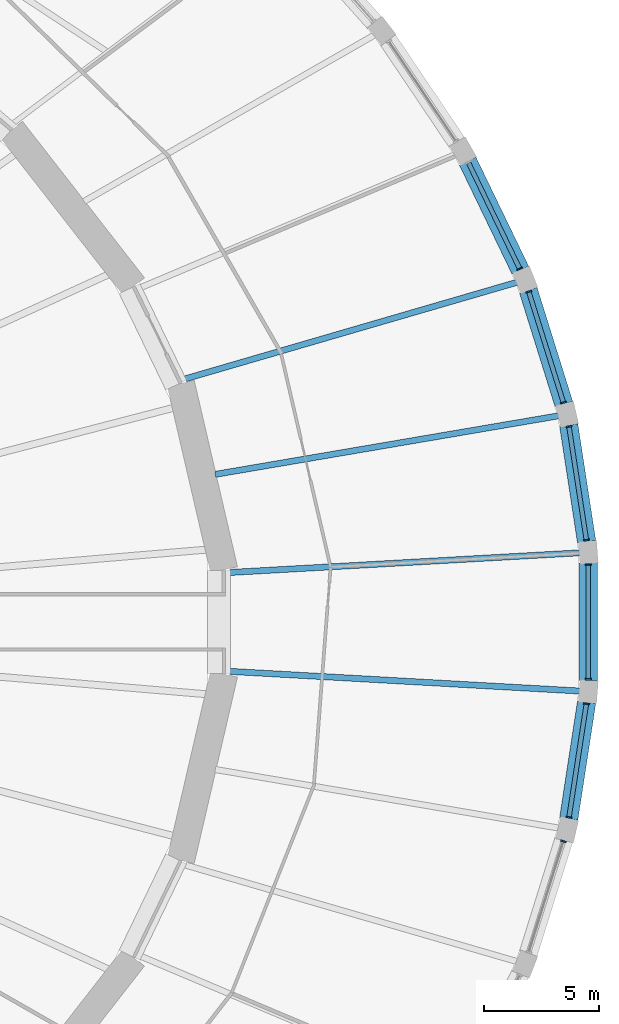
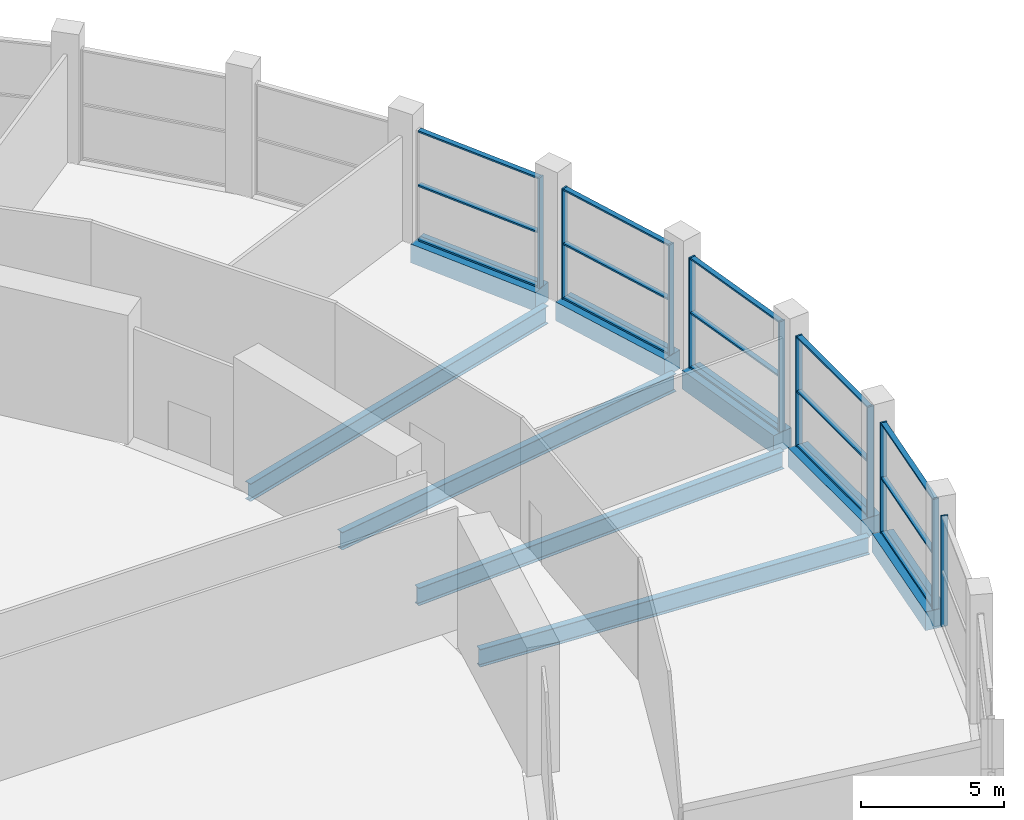
# One storey, part 11 of 26: 25 members, 9 beams, 6 elements without a shape of their own.
"""IFC4 building model written with IfcOpenShell, lengths in metres."""

from ifc_helpers import new_model, si_unit, direction, frame, origin, origin_2d, place, context, subcontext, project, spatial, rectangle, i_section, extrude, material, material_profile, profile_set, type_object, element, aggregate, save


model = new_model("IFC4")

# Units and contexts
model_context = context("Model", 3, precision=1e-05, world=origin(), true_north=direction((0.0, 1.0)))
body_context = subcontext(model_context, "Body", "Model", "MODEL_VIEW")
ifc_project = project(units=[si_unit("LENGTHUNIT", "METRE"), si_unit("AREAUNIT", "SQUARE_METRE"), si_unit("VOLUMEUNIT", "CUBIC_METRE"), si_unit("PLANEANGLEUNIT", "RADIAN"), si_unit("MASSUNIT", "GRAM", prefix="KILO")], contexts=[model_context])

# Site, building, storey
site_placement = place(None, origin())
site = spatial("IfcSite", under=ifc_project, at=site_placement, CompositionType="ELEMENT")
building_placement = place(site_placement, origin())
building = spatial("IfcBuilding", under=site, at=building_placement, Name="Halqa Exchange Tower", CompositionType="ELEMENT")
storey_placement = place(building_placement, frame((0.0, 0.0, 18.0)))
storey = spatial("IfcBuildingStorey", under=building, at=storey_placement, Name="L03", CompositionType="ELEMENT", Elevation=18.0)

# Curtain wall, members
ifc_material_1 = material(Name="Anodised aluminium and clear glass", Category="aluminium")
curtain_wall_type = type_object("IfcCurtainWallType", Name="Exchange hall glazing", PredefinedType="NOTDEFINED", material=ifc_material_1)
curtain_wall_1_placement = place(storey_placement, origin())
curtain_wall_1 = element("IfcCurtainWall", 1, at=curtain_wall_1_placement, inside=storey, type_object=curtain_wall_type, Name="Exchange hall glazing run P1", PredefinedType="NOTDEFINED")
ifc_material_2 = material(Name="Anodised aluminium", Category="aluminium")
ifc_material_profile_1 = material_profile(ifc_material_2, rectangle(XDim=0.25, YDim=0.070068359375, at=origin_2d()), Name="AL 70x250")
ifc_profile_set_1 = profile_set([ifc_material_profile_1], Name="Anodised aluminium")
member_type_1 = type_object("IfcMemberType", Name="Exchange hall glazing mullion 70 x 250", PredefinedType="MULLION", material=ifc_profile_set_1)
member_1_placement = place(storey_placement, frame((53.80322265625, 3.556884765625, 0.0), z_axis=(0.0, 0.0, 1.0), x_axis=(-0.988416304241, -0.151766957898, 0.0)))
member_1 = element("IfcMember", 2, at=member_1_placement, type_object=member_type_1, Name="P1 mullion 1", PredefinedType="MULLION", context=body_context, shape_type="SweptSolid", body=[
    extrude(rectangle(XDim=0.25, YDim=0.070068359375, at=origin_2d()), origin(), (0.0, 0.0, 1.0), 4.699951171875),
])
member_2_placement = place(storey_placement, frame((53.043701171875, 8.50390625, 0.0), z_axis=(0.0, 0.0, 1.0), x_axis=(-0.988416304241, -0.151766957898, 0.0)))
member_2 = element("IfcMember", 3, at=member_2_placement, type_object=member_type_1, Name="P1 mullion 2", PredefinedType="MULLION", context=body_context, shape_type="SweptSolid", body=[
    extrude(rectangle(XDim=0.25, YDim=0.070068359375, at=origin_2d()), origin(), (0.0, 0.0, 1.0), 4.699951171875),
])

curtain_wall_2_placement = place(storey_placement, origin())
curtain_wall_2 = element("IfcCurtainWall", 4, at=curtain_wall_2_placement, inside=storey, type_object=curtain_wall_type, Name="Exchange hall glazing run P2", PredefinedType="NOTDEFINED")
member_3_placement = place(storey_placement, frame((52.802978515625, 9.543212890625, 0.0), z_axis=(0.0, 0.0, 1.0), x_axis=(-0.95447130463, -0.298302746613, 0.0)))
member_3 = element("IfcMember", 5, at=member_3_placement, type_object=member_type_1, Name="P2 mullion 1", PredefinedType="MULLION", context=body_context, shape_type="SweptSolid", body=[
    extrude(rectangle(XDim=0.25, YDim=0.070068359375, at=origin_2d()), origin(), (0.0, 0.0, 1.0), 4.699951171875),
])
member_4_placement = place(storey_placement, frame((51.293701171875, 14.3720703125, 0.0), z_axis=(0.0, 0.0, 1.0), x_axis=(-0.95447130463, -0.298302746613, 0.0)))
member_4 = element("IfcMember", 6, at=member_4_placement, type_object=member_type_1, Name="P2 mullion 2", PredefinedType="MULLION", context=body_context, shape_type="SweptSolid", body=[
    extrude(rectangle(XDim=0.25, YDim=0.070068359375, at=origin_2d()), origin(), (0.0, 0.0, 1.0), 4.699951171875),
])

# Curtain wall, member
curtain_wall_3_placement = place(storey_placement, origin())
curtain_wall_3 = element("IfcCurtainWall", 7, at=curtain_wall_3_placement, inside=storey, type_object=curtain_wall_type, Name="Exchange hall glazing run P3", PredefinedType="NOTDEFINED")
member_5_placement = place(storey_placement, frame((50.9013671875, 15.3642578125, 0.0), z_axis=(0.0, 0.0, 1.0), x_axis=(-0.90043534892, -0.434989864727, 0.0)))
member_5 = element("IfcMember", 8, at=member_5_placement, type_object=member_type_1, Name="P3 mullion 1", PredefinedType="MULLION", context=body_context, shape_type="SweptSolid", body=[
    extrude(rectangle(XDim=0.25, YDim=0.070068359375, at=origin_2d()), origin(), (0.0, 0.0, 1.0), 4.699951171875),
])

curtain_wall_4_placement = place(storey_placement, origin())
curtain_wall_4 = element("IfcCurtainWall", 9, at=curtain_wall_4_placement, inside=storey, type_object=curtain_wall_type, Name="Exchange hall glazing run P46", PredefinedType="NOTDEFINED")
member_6_placement = place(storey_placement, frame((52.802978515625, -9.543212890625, 0.0), z_axis=(0.0, 0.0, 1.0), x_axis=(-0.95447130463, 0.298302746613, 0.0)))
member_6 = element("IfcMember", 10, at=member_6_placement, type_object=member_type_1, Name="P46 mullion 2", PredefinedType="MULLION", context=body_context, shape_type="SweptSolid", body=[
    extrude(rectangle(XDim=0.25, YDim=0.070068359375, at=origin_2d()), origin(), (0.0, 0.0, 1.0), 4.699951171875),
])
aggregate(curtain_wall_4, [member_6])

# Curtain wall, members
curtain_wall_5_placement = place(storey_placement, origin())
curtain_wall_5 = element("IfcCurtainWall", 11, at=curtain_wall_5_placement, inside=storey, type_object=curtain_wall_type, Name="Exchange hall glazing run P47", PredefinedType="NOTDEFINED")
member_7_placement = place(storey_placement, frame((53.043701171875, -8.50390625, 0.0), z_axis=(0.0, 0.0, 1.0), x_axis=(-0.988416304241, 0.151766957898, 0.0)))
member_7 = element("IfcMember", 12, at=member_7_placement, type_object=member_type_1, Name="P47 mullion 1", PredefinedType="MULLION", context=body_context, shape_type="SweptSolid", body=[
    extrude(rectangle(XDim=0.25, YDim=0.070068359375, at=origin_2d()), origin(), (0.0, 0.0, 1.0), 4.699951171875),
])
member_8_placement = place(storey_placement, frame((53.80322265625, -3.556884765625, 0.0), z_axis=(0.0, 0.0, 1.0), x_axis=(-0.988416304241, 0.151766957898, 0.0)))
member_8 = element("IfcMember", 13, at=member_8_placement, type_object=member_type_1, Name="P47 mullion 2", PredefinedType="MULLION", context=body_context, shape_type="SweptSolid", body=[
    extrude(rectangle(XDim=0.25, YDim=0.070068359375, at=origin_2d()), origin(), (0.0, 0.0, 1.0), 4.699951171875),
])

curtain_wall_6_placement = place(storey_placement, origin())
curtain_wall_6 = element("IfcCurtainWall", 14, at=curtain_wall_6_placement, inside=storey, type_object=curtain_wall_type, Name="Exchange hall glazing run P48", PredefinedType="NOTDEFINED")
member_9_placement = place(storey_placement, frame((53.884521484375, -2.4931640625, 0.0), z_axis=(0.0, 0.0, 1.0), x_axis=(-1.0, 0.0, 0.0)))
member_9 = element("IfcMember", 15, at=member_9_placement, type_object=member_type_1, Name="P48 mullion 1", PredefinedType="MULLION", context=body_context, shape_type="SweptSolid", body=[
    extrude(rectangle(XDim=0.25, YDim=0.070068359375, at=origin_2d()), origin(), (0.0, 0.0, 1.0), 4.699951171875),
])
member_10_placement = place(storey_placement, frame((53.884521484375, 2.4931640625, 0.0), z_axis=(0.0, 0.0, 1.0), x_axis=(-1.0, 0.0, 0.0)))
member_10 = element("IfcMember", 16, at=member_10_placement, type_object=member_type_1, Name="P48 mullion 2", PredefinedType="MULLION", context=body_context, shape_type="SweptSolid", body=[
    extrude(rectangle(XDim=0.25, YDim=0.070068359375, at=origin_2d()), origin(), (0.0, 0.0, 1.0), 4.699951171875),
])

# Member
ifc_material_profile_2 = material_profile(ifc_material_2, rectangle(XDim=0.199951171875, YDim=0.070068359375, at=origin_2d()), Name="AL 70x200")
ifc_profile_set_2 = profile_set([ifc_material_profile_2], Name="Anodised aluminium")
member_type_2 = type_object("IfcMemberType", Name="Exchange hall glazing transom 70 x 200", PredefinedType="USERDEFINED", material=ifc_profile_set_2)
member_11_placement = place(storey_placement, frame((53.7978515625, 3.591552734375, 0.034912109375), z_axis=(-0.151782076139, 0.988413982784, 0.0), x_axis=(-0.988413982784, -0.151782076139, 0.0)))
member_11 = element("IfcMember", 17, at=member_11_placement, type_object=member_type_2, Name="P1 transom 1.1", ObjectType="TRANSOM", PredefinedType="USERDEFINED", context=body_context, shape_type="SweptSolid", body=[
    extrude(rectangle(XDim=0.199951171875, YDim=0.070068359375, at=origin_2d()), origin(), (0.0, 0.0, 1.0), 4.934814453125),
])

member_12_placement = place(storey_placement, frame((53.7978515625, 3.591552734375, 2.35009765625), z_axis=(-0.151782076139, 0.988413982784, 0.0), x_axis=(-0.988413982784, -0.151782076139, 0.0)))
member_12 = element("IfcMember", 18, at=member_12_placement, type_object=member_type_2, Name="P1 transom 1.2", ObjectType="TRANSOM", PredefinedType="USERDEFINED", context=body_context, shape_type="SweptSolid", body=[
    extrude(rectangle(XDim=0.199951171875, YDim=0.070068359375, at=origin_2d()), origin(), (0.0, 0.0, 1.0), 4.934814453125),
])

member_13_placement = place(storey_placement, frame((53.7978515625, 3.591552734375, 4.6650390625), z_axis=(-0.151782076139, 0.988413982784, 0.0), x_axis=(-0.988413982784, -0.151782076139, 0.0)))
member_13 = element("IfcMember", 19, at=member_13_placement, type_object=member_type_2, Name="P1 transom 1.3", ObjectType="TRANSOM", PredefinedType="USERDEFINED", context=body_context, shape_type="SweptSolid", body=[
    extrude(rectangle(XDim=0.199951171875, YDim=0.070068359375, at=origin_2d()), origin(), (0.0, 0.0, 1.0), 4.934814453125),
])

aggregate(curtain_wall_1, [member_1, member_2, member_11, member_12, member_13])

member_14_placement = place(storey_placement, frame((52.79248046875, 9.57666015625, 0.034912109375), z_axis=(-0.298305642444, 0.954470399586, 0.0), x_axis=(-0.954470399586, -0.298305642444, 0.0)))
member_14 = element("IfcMember", 20, at=member_14_placement, type_object=member_type_2, Name="P2 transom 1.1", ObjectType="TRANSOM", PredefinedType="USERDEFINED", context=body_context, shape_type="SweptSolid", body=[
    extrude(rectangle(XDim=0.199951171875, YDim=0.070068359375, at=origin_2d()), origin(), (0.0, 0.0, 1.0), 4.989013671875),
])

member_15_placement = place(storey_placement, frame((52.79248046875, 9.57666015625, 2.35009765625), z_axis=(-0.298305642444, 0.954470399586, 0.0), x_axis=(-0.954470399586, -0.298305642444, 0.0)))
member_15 = element("IfcMember", 21, at=member_15_placement, type_object=member_type_2, Name="P2 transom 1.2", ObjectType="TRANSOM", PredefinedType="USERDEFINED", context=body_context, shape_type="SweptSolid", body=[
    extrude(rectangle(XDim=0.199951171875, YDim=0.070068359375, at=origin_2d()), origin(), (0.0, 0.0, 1.0), 4.989013671875),
])

member_16_placement = place(storey_placement, frame((52.79248046875, 9.57666015625, 4.6650390625), z_axis=(-0.298305642444, 0.954470399586, 0.0), x_axis=(-0.954470399586, -0.298305642444, 0.0)))
member_16 = element("IfcMember", 22, at=member_16_placement, type_object=member_type_2, Name="P2 transom 1.3", ObjectType="TRANSOM", PredefinedType="USERDEFINED", context=body_context, shape_type="SweptSolid", body=[
    extrude(rectangle(XDim=0.199951171875, YDim=0.070068359375, at=origin_2d()), origin(), (0.0, 0.0, 1.0), 4.989013671875),
])

aggregate(curtain_wall_2, [member_3, member_4, member_14, member_15, member_16])

member_17_placement = place(storey_placement, frame((50.88623046875, 15.395751953125, 0.034912109375), z_axis=(-0.434989893806, 0.900435334872, 0.0), x_axis=(-0.900435334872, -0.434989893806, 0.0)))
member_17 = element("IfcMember", 23, at=member_17_placement, type_object=member_type_2, Name="P3 transom 1.1", ObjectType="TRANSOM", PredefinedType="USERDEFINED", context=body_context, shape_type="SweptSolid", body=[
    extrude(rectangle(XDim=0.199951171875, YDim=0.070068359375, at=origin_2d()), origin(), (0.0, 0.0, 1.0), 5.07421875),
])

member_18_placement = place(storey_placement, frame((50.88623046875, 15.395751953125, 2.35009765625), z_axis=(-0.434989893806, 0.900435334872, 0.0), x_axis=(-0.900435334872, -0.434989893806, 0.0)))
member_18 = element("IfcMember", 24, at=member_18_placement, type_object=member_type_2, Name="P3 transom 1.2", ObjectType="TRANSOM", PredefinedType="USERDEFINED", context=body_context, shape_type="SweptSolid", body=[
    extrude(rectangle(XDim=0.199951171875, YDim=0.070068359375, at=origin_2d()), origin(), (0.0, 0.0, 1.0), 5.07421875),
])

member_19_placement = place(storey_placement, frame((50.88623046875, 15.395751953125, 4.6650390625), z_axis=(-0.434989893806, 0.900435334872, 0.0), x_axis=(-0.900435334872, -0.434989893806, 0.0)))
member_19 = element("IfcMember", 25, at=member_19_placement, type_object=member_type_2, Name="P3 transom 1.3", ObjectType="TRANSOM", PredefinedType="USERDEFINED", context=body_context, shape_type="SweptSolid", body=[
    extrude(rectangle(XDim=0.199951171875, YDim=0.070068359375, at=origin_2d()), origin(), (0.0, 0.0, 1.0), 5.07421875),
])

aggregate(curtain_wall_3, [member_5, member_17, member_18, member_19])

member_20_placement = place(storey_placement, frame((53.048828125, -8.46923828125, 0.034912109375), z_axis=(0.151782076139, 0.988413982784, 0.0), x_axis=(-0.988413982784, 0.151782076139, 0.0)))
member_20 = element("IfcMember", 26, at=member_20_placement, type_object=member_type_2, Name="P47 transom 1.1", ObjectType="TRANSOM", PredefinedType="USERDEFINED", context=body_context, shape_type="SweptSolid", body=[
    extrude(rectangle(XDim=0.199951171875, YDim=0.070068359375, at=origin_2d()), origin(), (0.0, 0.0, 1.0), 4.934814453125),
])

member_21_placement = place(storey_placement, frame((53.048828125, -8.46923828125, 2.35009765625), z_axis=(0.151782076139, 0.988413982784, 0.0), x_axis=(-0.988413982784, 0.151782076139, 0.0)))
member_21 = element("IfcMember", 27, at=member_21_placement, type_object=member_type_2, Name="P47 transom 1.2", ObjectType="TRANSOM", PredefinedType="USERDEFINED", context=body_context, shape_type="SweptSolid", body=[
    extrude(rectangle(XDim=0.199951171875, YDim=0.070068359375, at=origin_2d()), origin(), (0.0, 0.0, 1.0), 4.934814453125),
])

member_22_placement = place(storey_placement, frame((53.048828125, -8.46923828125, 4.6650390625), z_axis=(0.151782076139, 0.988413982784, 0.0), x_axis=(-0.988413982784, 0.151782076139, 0.0)))
member_22 = element("IfcMember", 28, at=member_22_placement, type_object=member_type_2, Name="P47 transom 1.3", ObjectType="TRANSOM", PredefinedType="USERDEFINED", context=body_context, shape_type="SweptSolid", body=[
    extrude(rectangle(XDim=0.199951171875, YDim=0.070068359375, at=origin_2d()), origin(), (0.0, 0.0, 1.0), 4.934814453125),
])

aggregate(curtain_wall_5, [member_7, member_8, member_20, member_21, member_22])

member_23_placement = place(storey_placement, frame((53.884521484375, -2.458251953125, 0.034912109375), z_axis=(0.0, 1.0, 0.0), x_axis=(-1.0, 0.0, 0.0)))
member_23 = element("IfcMember", 29, at=member_23_placement, type_object=member_type_2, Name="P48 transom 1.1", ObjectType="TRANSOM", PredefinedType="USERDEFINED", context=body_context, shape_type="SweptSolid", body=[
    extrude(rectangle(XDim=0.199951171875, YDim=0.070068359375, at=origin_2d()), origin(), (0.0, 0.0, 1.0), 4.91650390625),
])

member_24_placement = place(storey_placement, frame((53.884521484375, -2.458251953125, 2.35009765625), z_axis=(0.0, 1.0, 0.0), x_axis=(-1.0, 0.0, 0.0)))
member_24 = element("IfcMember", 30, at=member_24_placement, type_object=member_type_2, Name="P48 transom 1.2", ObjectType="TRANSOM", PredefinedType="USERDEFINED", context=body_context, shape_type="SweptSolid", body=[
    extrude(rectangle(XDim=0.199951171875, YDim=0.070068359375, at=origin_2d()), origin(), (0.0, 0.0, 1.0), 4.91650390625),
])

member_25_placement = place(storey_placement, frame((53.884521484375, -2.458251953125, 4.6650390625), z_axis=(0.0, 1.0, 0.0), x_axis=(-1.0, 0.0, 0.0)))
member_25 = element("IfcMember", 31, at=member_25_placement, type_object=member_type_2, Name="P48 transom 1.3", ObjectType="TRANSOM", PredefinedType="USERDEFINED", context=body_context, shape_type="SweptSolid", body=[
    extrude(rectangle(XDim=0.199951171875, YDim=0.070068359375, at=origin_2d()), origin(), (0.0, 0.0, 1.0), 4.91650390625),
])

aggregate(curtain_wall_6, [member_9, member_10, member_23, member_24, member_25])

# Beams
ifc_material_3 = material(Name="Steel S355", Category="steel")
ifc_material_profile_3 = material_profile(ifc_material_3, i_section(OverallWidth=0.264892578125, OverallDepth=0.7529296875, WebThickness=0.01318359375, FlangeThickness=0.01708984375, FilletRadius=0.01708984375, at=origin_2d()), Name="IPE 750x147")
ifc_profile_set_3 = profile_set([ifc_material_profile_3], Name="Steel S355")
beam_type_1 = type_object("IfcBeamType", Name="Floor beam IPE 750x147", PredefinedType="BEAM", material=ifc_profile_set_3)
beam_1_placement = place(storey_placement, frame((38.2880859375, 2.151611328125, -0.7265625), z_axis=(0.998424130563, 0.056118227964, 0.0), x_axis=(-0.056118227964, 0.998424130563, 0.0)))
element("IfcBeam", 32, at=beam_1_placement, inside=storey, type_object=beam_type_1, Name="Radial beam 1", PredefinedType="BEAM", context=body_context, shape_type="SweptSolid", body=[
    extrude(i_section(OverallWidth=0.264892578125, OverallDepth=0.7529296875, WebThickness=0.01318359375, FlangeThickness=0.01708984375, FilletRadius=0.01708984375, at=origin_2d()), origin(), (0.0, 0.0, 1.0), 15.248291015625),
])
beam_2_placement = place(storey_placement, frame((37.654296875, 6.421875, -0.7265625), z_axis=(0.985764762639, 0.168130403968, 0.0), x_axis=(-0.168130403968, 0.985764762639, 0.0)))
element("IfcBeam", 33, at=beam_2_placement, inside=storey, type_object=beam_type_1, Name="Radial beam 2", PredefinedType="BEAM", context=body_context, shape_type="SweptSolid", body=[
    extrude(i_section(OverallWidth=0.264892578125, OverallDepth=0.7529296875, WebThickness=0.01318359375, FlangeThickness=0.01708984375, FilletRadius=0.01708984375, at=origin_2d()), origin(), (0.0, 0.0, 1.0), 15.156982421875),
])
beam_3_placement = place(storey_placement, frame((36.34521484375, 10.578369140625, -0.7265625), z_axis=(0.960162493503, 0.279442276812, 0.0), x_axis=(-0.279442276812, 0.960162493503, 0.0)))
element("IfcBeam", 34, at=beam_3_placement, inside=storey, type_object=beam_type_1, Name="Radial beam 3", PredefinedType="BEAM", context=body_context, shape_type="SweptSolid", body=[
    extrude(i_section(OverallWidth=0.264892578125, OverallDepth=0.7529296875, WebThickness=0.01318359375, FlangeThickness=0.01708984375, FilletRadius=0.01708984375, at=origin_2d()), origin(), (0.0, 0.0, 1.0), 15.02880859375),
])
beam_4_placement = place(storey_placement, frame((38.2880859375, -2.151611328125, -0.7265625), z_axis=(0.998424130563, -0.056118227964, 0.0), x_axis=(0.056118227964, 0.998424130563, 0.0)))
element("IfcBeam", 35, at=beam_4_placement, inside=storey, type_object=beam_type_1, Name="Radial beam 48", PredefinedType="BEAM", context=body_context, shape_type="SweptSolid", body=[
    extrude(i_section(OverallWidth=0.264892578125, OverallDepth=0.7529296875, WebThickness=0.01318359375, FlangeThickness=0.01708984375, FilletRadius=0.01708984375, at=origin_2d()), origin(), (0.0, 0.0, 1.0), 15.248291015625),
])
ifc_material_4 = material(Name="Concrete C60/75", Category="concrete")
ifc_material_profile_4 = material_profile(ifc_material_4, rectangle(XDim=0.800048828125, YDim=0.800048828125, at=origin_2d()), Name="800 x 800")
ifc_profile_set_4 = profile_set([ifc_material_profile_4], Name="Concrete C60/75")
beam_type_2 = type_object("IfcBeamType", Name="RC podium edge beam 800 x 800 C60/75", PredefinedType="SPANDREL", material=ifc_profile_set_4)
beam_5_placement = place(storey_placement, frame((53.812744140625, 3.495361328125, -0.39990234375), z_axis=(-0.151767505705, 0.988416220128, 0.0), x_axis=(-0.988416220128, -0.151767505705, 0.0)))
element("IfcBeam", 36, at=beam_5_placement, inside=storey, type_object=beam_type_2, Name="Podium edge beam 1", PredefinedType="SPANDREL", context=body_context, shape_type="SweptSolid", body=[
    extrude(rectangle(XDim=0.800048828125, YDim=0.800048828125, at=origin_2d()), origin(), (0.0, 0.0, 1.0), 5.1298828125),
])
beam_6_placement = place(storey_placement, frame((52.821044921875, 9.4853515625, -0.39990234375), z_axis=(-0.298331338153, 0.954462368392, 0.0), x_axis=(-0.954462368392, -0.298331338153, 0.0)))
element("IfcBeam", 37, at=beam_6_placement, inside=storey, type_object=beam_type_2, Name="Podium edge beam 2", PredefinedType="SPANDREL", context=body_context, shape_type="SweptSolid", body=[
    extrude(rectangle(XDim=0.800048828125, YDim=0.800048828125, at=origin_2d()), origin(), (0.0, 0.0, 1.0), 5.180908203125),
])
beam_7_placement = place(storey_placement, frame((50.92822265625, 15.308837890625, -0.39990234375), z_axis=(-0.43497328232, 0.9004433595, 0.0), x_axis=(-0.9004433595, -0.43497328232, 0.0)))
element("IfcBeam", 38, at=beam_7_placement, inside=storey, type_object=beam_type_2, Name="Podium edge beam 3", PredefinedType="SPANDREL", context=body_context, shape_type="SweptSolid", body=[
    extrude(rectangle(XDim=0.800048828125, YDim=0.800048828125, at=origin_2d()), origin(), (0.0, 0.0, 1.0), 5.267578125),
])
beam_8_placement = place(storey_placement, frame((53.0341796875, -8.56591796875, -0.39990234375), z_axis=(0.151767505705, 0.988416220128, 0.0), x_axis=(-0.988416220128, 0.151767505705, 0.0)))
element("IfcBeam", 39, at=beam_8_placement, inside=storey, type_object=beam_type_2, Name="Podium edge beam 47", PredefinedType="SPANDREL", context=body_context, shape_type="SweptSolid", body=[
    extrude(rectangle(XDim=0.800048828125, YDim=0.800048828125, at=origin_2d()), origin(), (0.0, 0.0, 1.0), 5.1298828125),
])
beam_9_placement = place(storey_placement, frame((53.884521484375, -2.5556640625, -0.39990234375), z_axis=(0.0, 1.0, 0.0), x_axis=(-1.0, 0.0, 0.0)))
element("IfcBeam", 40, at=beam_9_placement, inside=storey, type_object=beam_type_2, Name="Podium edge beam 48", PredefinedType="SPANDREL", context=body_context, shape_type="SweptSolid", body=[
    extrude(rectangle(XDim=0.800048828125, YDim=0.800048828125, at=origin_2d()), origin(), (0.0, 0.0, 1.0), 5.111328125),
])

save(model, "model.ifc")
